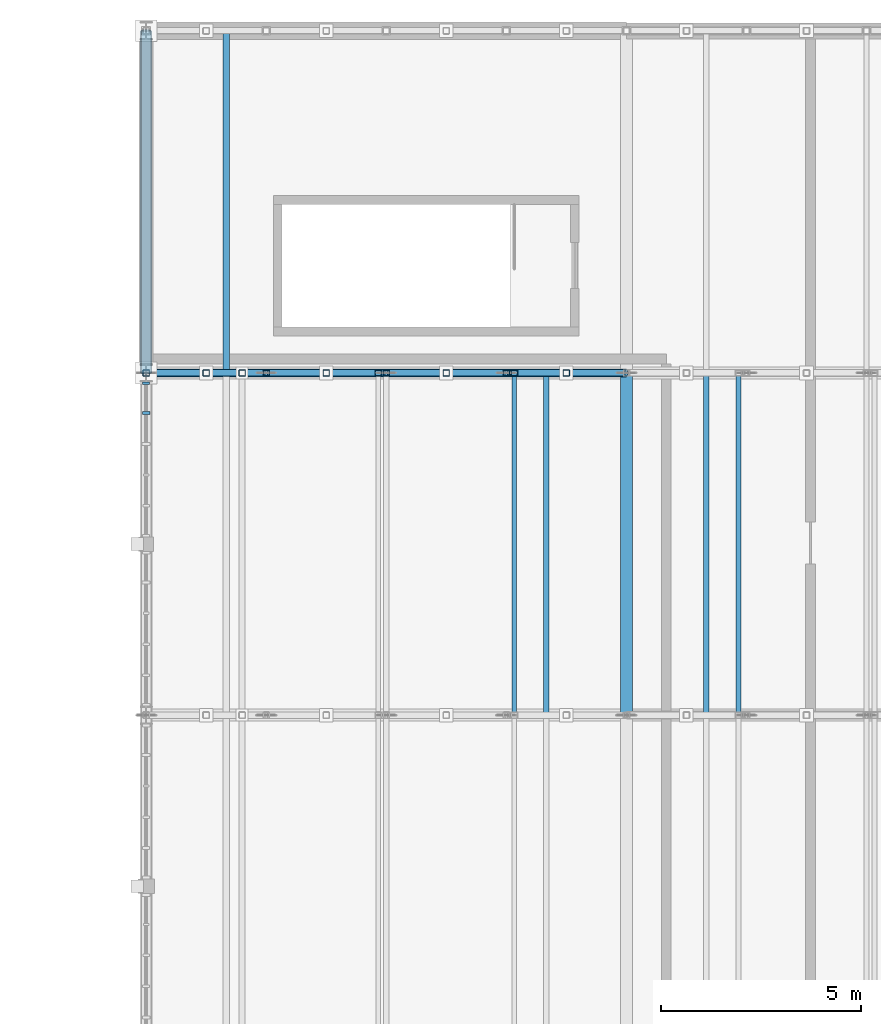
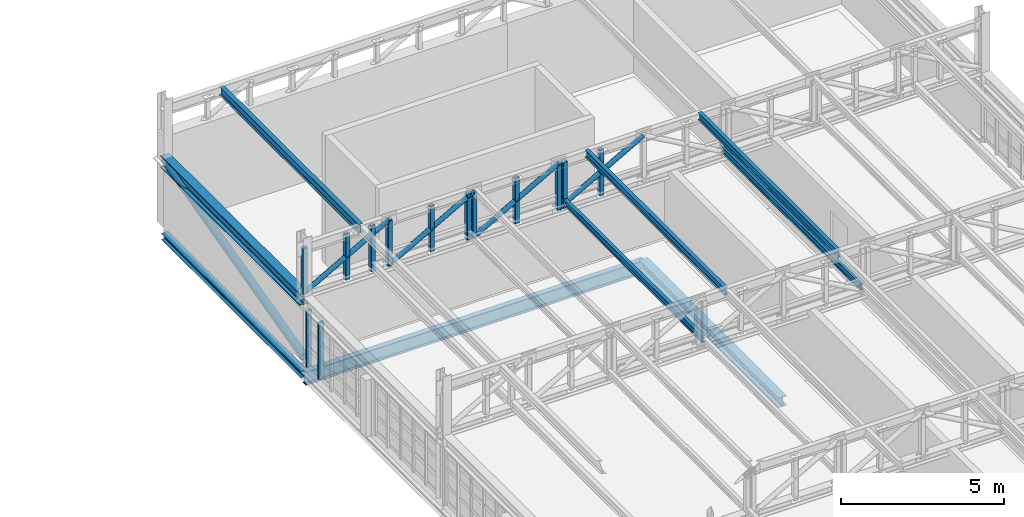
# One storey, part 54 of 128: 23 members, 4 beams, 1 element without a shape of its own.
"""IFC4 building model written with IfcOpenShell, lengths in metres."""

from ifc_helpers import new_model, si_unit, direction, frame, origin, origin_2d, place, context, subcontext, project, spatial, rectangle, hollow_rectangle, hollow_circle, i_section, extrude, material, material_profile, profile_set, type_object, element, aggregate, save


model = new_model("IFC4")

# Units and contexts
model_context = context("Model", 3, precision=1e-05, world=origin(), true_north=direction((0.0, 1.0)))
body_context = subcontext(model_context, "Body", "Model", "MODEL_VIEW")
ifc_project = project(units=[si_unit("LENGTHUNIT", "METRE"), si_unit("AREAUNIT", "SQUARE_METRE"), si_unit("VOLUMEUNIT", "CUBIC_METRE"), si_unit("PLANEANGLEUNIT", "RADIAN"), si_unit("MASSUNIT", "GRAM", prefix="KILO")], contexts=[model_context])

# Site, building, storey
site_placement = place(None, origin())
site = spatial("IfcSite", under=ifc_project, at=site_placement, CompositionType="ELEMENT")
building_placement = place(site_placement, origin())
building = spatial("IfcBuilding", under=site, at=building_placement, Name="Serraforn Aerial Cableway Station", CompositionType="ELEMENT")
storey_placement = place(building_placement, frame((0.0, 0.0, 9.0)))
storey = spatial("IfcBuildingStorey", under=building, at=storey_placement, Name="L02", CompositionType="ELEMENT", Elevation=9.0)

# Beams
ifc_material_1 = material(Name="Steel S355JR", Category="steel")
ifc_material_profile_1 = material_profile(ifc_material_1, i_section(OverallWidth=0.239990234375, OverallDepth=0.239990234375, WebThickness=0.007568359375, FlangeThickness=0.011962890625, FilletRadius=0.02099609375, at=origin_2d()), Name="HEA 240")
ifc_profile_set_1 = profile_set([ifc_material_profile_1], Name="Steel S355JR")
beam_type_1 = type_object("IfcBeamType", Name="BM-ST-HEA240", PredefinedType="BEAM", material=ifc_profile_set_1)
beam_1_placement = place(storey_placement, frame((144.0, 105.449951171875, -0.43994140625), z_axis=(0.0, 1.0, 0.0), x_axis=(-1.0, 0.0, 0.0)))
element("IfcBeam", 1, at=beam_1_placement, inside=storey, type_object=beam_type_1, Name="Grid Girder Y EG L02 X1-8", PredefinedType="BEAM", context=body_context, shape_type="SweptSolid", body=[
    extrude(i_section(OverallWidth=0.239990234375, OverallDepth=0.239990234375, WebThickness=0.007568359375, FlangeThickness=0.011962890625, FilletRadius=0.02099609375, at=origin_2d()), origin(), (0.0, 0.0, 1.0), 8.550048828125),
])
ifc_material_profile_2 = material_profile(ifc_material_1, i_section(OverallWidth=0.300048828125, OverallDepth=0.360107421875, WebThickness=0.010009765625, FlangeThickness=0.017578125, FilletRadius=0.027099609375, at=origin_2d()), Name="HEA 360")
ifc_profile_set_2 = profile_set([ifc_material_profile_2], Name="Steel S355JR")
beam_type_2 = type_object("IfcBeamType", Name="BM-ST-HEA360", PredefinedType="BEAM", material=ifc_profile_set_2)
beam_2_placement = place(storey_placement, frame((156.0, 96.89990234375, -0.5), z_axis=(0.0, 1.0, 0.0), x_axis=(-1.0, 0.0, 0.0)))
element("IfcBeam", 2, at=beam_2_placement, inside=storey, type_object=beam_type_2, Name="Grid Girder Y EG L02 X2-7", PredefinedType="BEAM", context=body_context, shape_type="SweptSolid", body=[
    extrude(i_section(OverallWidth=0.300048828125, OverallDepth=0.360107421875, WebThickness=0.010009765625, FlangeThickness=0.017578125, FilletRadius=0.027099609375, at=origin_2d()), origin(), (0.0, 0.0, 1.0), 8.550048828125),
])
ifc_material_2 = material(Name="Steel S355J2", Category="steel")
ifc_material_profile_3 = material_profile(ifc_material_2, i_section(OverallWidth=0.300048828125, OverallDepth=0.449951171875, WebThickness=0.013916015625, FlangeThickness=0.02587890625, FilletRadius=0.027099609375, at=origin_2d()), Name="HEB 450")
ifc_profile_set_3 = profile_set([ifc_material_profile_3], Name="Steel S355J2")
beam_type_3 = type_object("IfcBeamType", Name="BM-ST-HEB450", PredefinedType="USERDEFINED", material=ifc_profile_set_3)
beam_3_placement = place(storey_placement, frame((144.0, 105.449951171875, 2.375), z_axis=(0.0, 1.0, 0.0), x_axis=(-1.0, 0.0, 0.0)))
element("IfcBeam", 3, at=beam_3_placement, inside=storey, type_object=beam_type_3, Name="Garage Truss Support Girder W-8", ObjectType="GIRDER", PredefinedType="USERDEFINED", context=body_context, shape_type="SweptSolid", body=[
    extrude(i_section(OverallWidth=0.300048828125, OverallDepth=0.449951171875, WebThickness=0.013916015625, FlangeThickness=0.02587890625, FilletRadius=0.027099609375, at=origin_2d()), origin(), (0.0, 0.0, 1.0), 8.550048828125),
])
ifc_material_profile_4 = material_profile(ifc_material_1, i_section(OverallWidth=0.199951171875, OverallDepth=0.5, WebThickness=0.01025390625, FlangeThickness=0.01611328125, FilletRadius=0.02099609375, at=origin_2d()), Name="IPE 500")
ifc_profile_set_4 = profile_set([ifc_material_profile_4], Name="Steel S355JR")
beam_type_4 = type_object("IfcBeamType", Name="BM-ST-IPE500", PredefinedType="USERDEFINED", material=ifc_profile_set_4)
beam_4_placement = place(storey_placement, frame((144.0, 105.449951171875, -0.570068359375), z_axis=(1.0, 0.0, 0.0), x_axis=(0.0, 1.0, 0.0)))
element("IfcBeam", 4, at=beam_4_placement, inside=storey, type_object=beam_type_4, Name="Grid Girder X EG L02 Y8-1", ObjectType="GIRDER", PredefinedType="USERDEFINED", context=body_context, shape_type="SweptSolid", body=[
    extrude(i_section(OverallWidth=0.199951171875, OverallDepth=0.5, WebThickness=0.01025390625, FlangeThickness=0.01611328125, FilletRadius=0.02099609375, at=origin_2d()), origin(), (0.0, 0.0, 1.0), 12.0),
])

# Curtain wall, members
ifc_material_3 = material(Name="Anodised bronze unitised curtain wall")
curtain_wall_type = type_object("IfcCurtainWallType", Name="CW-SYS-11", PredefinedType="USERDEFINED", material=ifc_material_3)
curtain_wall_placement = place(storey_placement, origin())
curtain_wall = element("IfcCurtainWall", 5, at=curtain_wall_placement, inside=storey, type_object=curtain_wall_type, Name="Unitised Curtain Wall CW-EG-L02-W7A", ObjectType="UNITISED CURTAIN WALL", PredefinedType="USERDEFINED")
ifc_material_4 = material(Name="Anodised bronze extruded aluminium", Category="aluminium")
ifc_material_profile_5 = material_profile(ifc_material_4, rectangle(XDim=0.06494140625, YDim=0.175048828125, at=origin_2d()), Name="CW MULLION 65x175")
ifc_profile_set_5 = profile_set([ifc_material_profile_5], Name="Anodised bronze extruded aluminium")
member_type_1 = type_object("IfcMemberType", Name="CW-MUL-3", PredefinedType="MULLION", material=ifc_profile_set_5)
member_1_placement = place(storey_placement, frame((144.0, 105.194580078125, 0.0), z_axis=(0.0, 0.0, 1.0), x_axis=(0.0, -1.0, 0.0)))
member_1 = element("IfcMember", 6, at=member_1_placement, type_object=member_type_1, Name="Curtain Wall Mullion CW-EG-L02-W7A-M1", PredefinedType="MULLION", context=body_context, shape_type="SweptSolid", body=[
    extrude(rectangle(XDim=0.06494140625, YDim=0.175048828125, at=origin_2d()), origin(), (0.0, 0.0, 1.0), 2.1201171875),
])
ifc_material_profile_6 = material_profile(ifc_material_4, rectangle(XDim=0.070068359375, YDim=0.18994140625, at=origin_2d()), Name="CW MULLION 70x190")
ifc_profile_set_6 = profile_set([ifc_material_profile_6], Name="Anodised bronze extruded aluminium")
member_type_2 = type_object("IfcMemberType", Name="CW-MUL-4", PredefinedType="MULLION", material=ifc_profile_set_6)
member_2_placement = place(storey_placement, frame((144.0, 104.45263671875, 0.0), z_axis=(0.0, 0.0, 1.0), x_axis=(0.0, -1.0, 0.0)))
member_2 = element("IfcMember", 7, at=member_2_placement, type_object=member_type_2, Name="Curtain Wall Mullion CW-EG-L02-W7A-M2", PredefinedType="MULLION", context=body_context, shape_type="SweptSolid", body=[
    extrude(rectangle(XDim=0.070068359375, YDim=0.18994140625, at=origin_2d()), origin(), (0.0, 0.0, 1.0), 2.1201171875),
])
aggregate(curtain_wall, [member_1, member_2])

# Members
ifc_material_profile_7 = material_profile(ifc_material_2, hollow_circle(Radius=0.084228515625, WallThickness=0.008056640625, at=origin_2d()), Name="CHS 168.3x8.0")
ifc_profile_set_7 = profile_set([ifc_material_profile_7], Name="Steel S355J2")
member_type_3 = type_object("IfcMemberType", Name="MEM-DG-CHS168", PredefinedType="BRACE", material=ifc_profile_set_7)
for number, where, z_axis, x_axis, name in (
    (8, (144.0, 105.449951171875, 2.60009765625), (0.871272396707, 0.0, 0.490799766439), (0.0, 1.0, 0.0), "Garage Truss GT-11 Diagonal 1"),
    (9, (147.0, 105.449951171875, 2.60009765625), (0.871272396707, 0.0, 0.490799766439), (0.0, 1.0, 0.0), "Garage Truss GT-11 Diagonal 2"),
    (10, (150.0, 105.449951171875, 2.60009765625), (0.871272396707, 0.0, 0.490799766439), (0.0, 1.0, 0.0), "Garage Truss GT-11 Diagonal 3"),
    (11, (153.0, 105.449951171875, 2.60009765625), (0.871272396707, 0.0, 0.490799766439), (0.0, 1.0, 0.0), "Garage Truss GT-11 Diagonal 4"),
):
    element("IfcMember", number, at=place(storey_placement, frame(where, z_axis=z_axis, x_axis=x_axis)), inside=storey, type_object=member_type_3, Name=name, PredefinedType="BRACE", context=body_context, shape_type="SweptSolid", body=[
        extrude(hollow_circle(Radius=0.084228515625, WallThickness=0.008056640625, at=origin_2d()), origin(), (0.0, 0.0, 1.0), 3.443359375),
    ])
ifc_material_profile_8 = material_profile(ifc_material_1, i_section(OverallWidth=0.135009765625, OverallDepth=0.27001953125, WebThickness=0.006591796875, FlangeThickness=0.01025390625, FilletRadius=0.014892578125, at=origin_2d()), Name="IPE 270")
ifc_profile_set_8 = profile_set([ifc_material_profile_8], Name="Steel S355JR")
member_type_4 = type_object("IfcMemberType", Name="MEM-PR-IPE270", PredefinedType="PURLIN", material=ifc_profile_set_8)
for number, where, z_axis, x_axis, name in (
    (12, (154.0, 96.89990234375, 4.3349609375), (0.0, 1.0, 0.0), (-1.0, 0.0, 0.0), "Fleet Garage Roof Purlin 7-3"),
    (13, (158.0, 96.89990234375, 4.3349609375), (0.0, 1.0, 0.0), (-1.0, 0.0, 0.0), "Fleet Garage Roof Purlin 7-4"),
):
    element("IfcMember", number, at=place(storey_placement, frame(where, z_axis=z_axis, x_axis=x_axis)), inside=storey, type_object=member_type_4, Name=name, PredefinedType="PURLIN", context=body_context, shape_type="SweptSolid", body=[
        extrude(i_section(OverallWidth=0.135009765625, OverallDepth=0.27001953125, WebThickness=0.006591796875, FlangeThickness=0.01025390625, FilletRadius=0.014892578125, at=origin_2d()), origin(), (0.0, 0.0, 1.0), 8.550048828125),
    ])
ifc_material_profile_9 = material_profile(ifc_material_1, i_section(OverallWidth=0.159912109375, OverallDepth=0.330078125, WebThickness=0.007568359375, FlangeThickness=0.011474609375, FilletRadius=0.01806640625, at=origin_2d()), Name="IPE 330")
ifc_profile_set_9 = profile_set([ifc_material_profile_9], Name="Steel S355JR")
member_type_5 = type_object("IfcMemberType", Name="MEM-PR-IPE330", PredefinedType="PURLIN", material=ifc_profile_set_9)
member_3_placement = place(storey_placement, frame((146.0, 105.449951171875, 4.304931640625), z_axis=(0.0, 1.0, 0.0), x_axis=(-1.0, 0.0, 0.0)))
element("IfcMember", 14, at=member_3_placement, inside=storey, type_object=member_type_5, Name="Fleet Garage Roof Purlin 8-1", PredefinedType="PURLIN", context=body_context, shape_type="SweptSolid", body=[
    extrude(i_section(OverallWidth=0.159912109375, OverallDepth=0.330078125, WebThickness=0.007568359375, FlangeThickness=0.011474609375, FilletRadius=0.01806640625, at=origin_2d()), origin(), (0.0, 0.0, 1.0), 8.550048828125),
])
ifc_material_profile_10 = material_profile(ifc_material_2, i_section(OverallWidth=0.1201171875, OverallDepth=0.239990234375, WebThickness=0.006103515625, FlangeThickness=0.009765625, FilletRadius=0.014892578125, at=origin_2d()), Name="IPE 240")
ifc_profile_set_10 = profile_set([ifc_material_profile_10], Name="Steel S355J2")
member_type_6 = type_object("IfcMemberType", Name="MEM-RL-IPE240", PredefinedType="USERDEFINED", material=ifc_profile_set_10)
for number, where, z_axis, x_axis, name in (
    (15, (153.199951171875, 96.89990234375, 2.820068359375), (0.0, 1.0, 0.0), (-1.0, 0.0, 0.0), "Overhead Cabin Storage Track Rail 3-6"),
    (16, (158.800048828125, 96.89990234375, 2.820068359375), (0.0, 1.0, 0.0), (-1.0, 0.0, 0.0), "Overhead Cabin Storage Track Rail 4-6"),
):
    element("IfcMember", number, at=place(storey_placement, frame(where, z_axis=z_axis, x_axis=x_axis)), inside=storey, type_object=member_type_6, Name=name, ObjectType="OVERHEAD TRACK RAIL", PredefinedType="USERDEFINED", context=body_context, shape_type="SweptSolid", body=[
        extrude(i_section(OverallWidth=0.1201171875, OverallDepth=0.239990234375, WebThickness=0.006103515625, FlangeThickness=0.009765625, FilletRadius=0.014892578125, at=origin_2d()), origin(), (0.0, 0.0, 1.0), 8.550048828125),
    ])
ifc_material_profile_11 = material_profile(ifc_material_2, hollow_rectangle(XDim=0.159912109375, YDim=0.159912109375, WallThickness=0.008056640625, InnerFilletRadius=0.008056640625, OuterFilletRadius=0.01611328125, at=origin_2d()), Name="SHS 160x160x8.0")
ifc_profile_set_11 = profile_set([ifc_material_profile_11], Name="Steel S355J2")
member_type_7 = type_object("IfcMemberType", Name="MEM-VP-SHS160", PredefinedType="STRUT", material=ifc_profile_set_11)
for number, where, z_axis, x_axis, name in (
    (17, (144.0, 105.449951171875, 2.590087890625), (0.0, 0.0, 1.0), (1.0, 0.0, 0.0), "Garage Truss GT-11 Post 1"),
    (18, (147.0, 105.449951171875, 2.590087890625), (0.0, 0.0, 1.0), (1.0, 0.0, 0.0), "Garage Truss GT-11 Post 2"),
    (19, (150.0, 105.449951171875, 2.590087890625), (0.0, 0.0, 1.0), (1.0, 0.0, 0.0), "Garage Truss GT-11 Post 3"),
    (20, (153.0, 105.449951171875, 2.590087890625), (0.0, 0.0, 1.0), (1.0, 0.0, 0.0), "Garage Truss GT-11 Post 4"),
    (21, (146.39990234375, 105.449951171875, 2.590087890625), (0.0, 0.0, 1.0), (1.0, 0.0, 0.0), "Overhead Rail Suspension Post 055"),
    (22, (149.800048828125, 105.449951171875, 2.590087890625), (0.0, 0.0, 1.0), (1.0, 0.0, 0.0), "Overhead Rail Suspension Post 056"),
    (23, (153.199951171875, 105.449951171875, 2.590087890625), (0.0, 0.0, 1.0), (1.0, 0.0, 0.0), "Overhead Rail Suspension Post 057"),
    (24, (145.5, 105.449951171875, 2.590087890625), (0.0, 0.0, 1.0), (1.0, 0.0, 0.0), "Garage Truss GT-11 Sub-Vertical 1"),
    (25, (148.5, 105.449951171875, 2.590087890625), (0.0, 0.0, 1.0), (1.0, 0.0, 0.0), "Garage Truss GT-11 Sub-Vertical 2"),
    (26, (151.5, 105.449951171875, 2.590087890625), (0.0, 0.0, 1.0), (1.0, 0.0, 0.0), "Garage Truss GT-11 Sub-Vertical 3"),
    (27, (154.5, 105.449951171875, 2.590087890625), (0.0, 0.0, 1.0), (1.0, 0.0, 0.0), "Garage Truss GT-11 Sub-Vertical 4"),
):
    element("IfcMember", number, at=place(storey_placement, frame(where, z_axis=z_axis, x_axis=x_axis)), inside=storey, type_object=member_type_7, Name=name, PredefinedType="STRUT", context=body_context, shape_type="SweptSolid", body=[
        extrude(hollow_rectangle(XDim=0.159912109375, YDim=0.159912109375, WallThickness=0.008056640625, InnerFilletRadius=0.008056640625, OuterFilletRadius=0.01611328125, at=origin_2d()), origin(), (0.0, 0.0, 1.0), 1.7099609375),
    ])
ifc_material_profile_12 = material_profile(ifc_material_2, hollow_circle(Radius=0.136474609375, WallThickness=0.012451171875, at=origin_2d()), Name="CHS 273.0x12.5")
ifc_profile_set_12 = profile_set([ifc_material_profile_12], Name="Steel S355J2")
member_type_8 = type_object("IfcMemberType", Name="MEM-WB-CHS273", PredefinedType="BRACE", material=ifc_profile_set_12)
member_4_placement = place(storey_placement, frame((144.0, 105.449951171875, 0.199951171875), z_axis=(0.0, 0.968455570332, 0.249186292346), x_axis=(-1.0, 0.0, 0.0)))
element("IfcMember", 28, at=member_4_placement, inside=storey, type_object=member_type_8, Name="High-Level Lateral Wind Brace 7", PredefinedType="BRACE", context=body_context, shape_type="SweptSolid", body=[
    extrude(hollow_circle(Radius=0.136474609375, WallThickness=0.012451171875, at=origin_2d()), origin(), (0.0, 0.0, 1.0), 8.82861328125),
])

save(model, "model.ifc")
